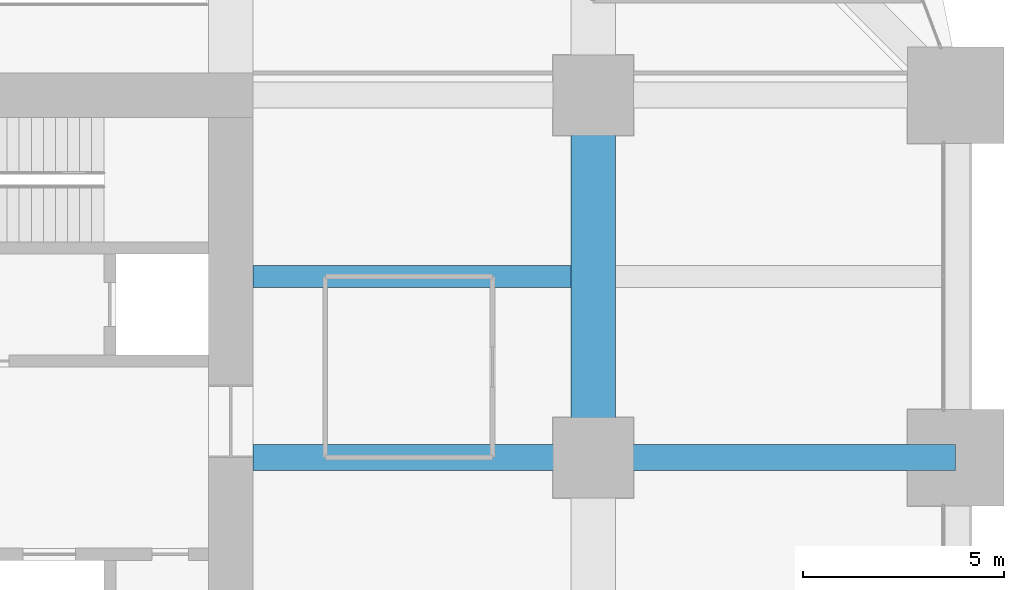
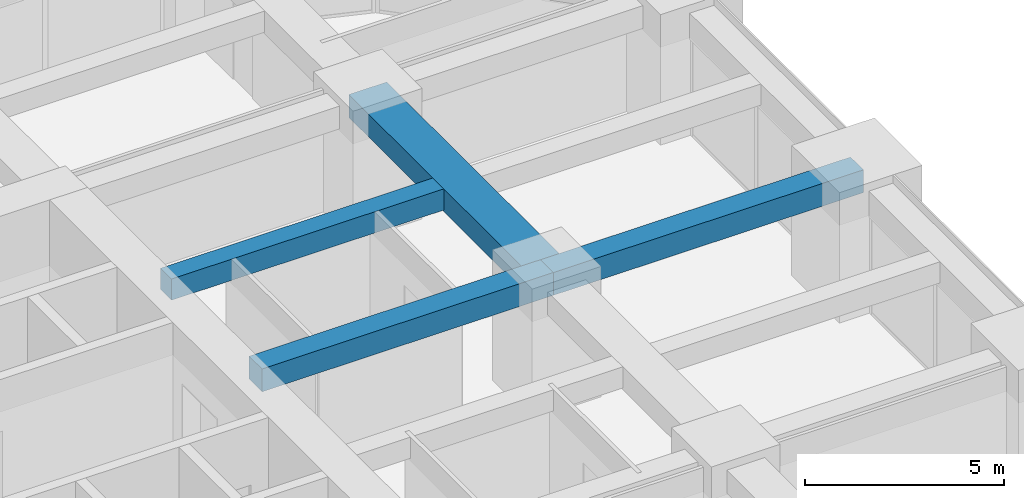
# One storey, part 22 of 41: 4 beams.
"""IFC4 building model written with IfcOpenShell, lengths in metres."""

from ifc_helpers import new_model, si_unit, direction, frame, origin, origin_2d, place, context, subcontext, project, spatial, rectangle, extrude, material, material_profile, profile_set, type_object, element, save


model = new_model("IFC4")

# Units and contexts
model_context = context("Model", 3, precision=1e-05, world=origin(), true_north=direction((0.0, 1.0)))
body_context = subcontext(model_context, "Body", "Model", "MODEL_VIEW")
ifc_project = project(units=[si_unit("LENGTHUNIT", "METRE"), si_unit("AREAUNIT", "SQUARE_METRE"), si_unit("VOLUMEUNIT", "CUBIC_METRE"), si_unit("PLANEANGLEUNIT", "RADIAN"), si_unit("MASSUNIT", "GRAM", prefix="KILO")], contexts=[model_context])

# Site, building, storey
site_placement = place(None, origin())
site = spatial("IfcSite", under=ifc_project, at=site_placement, CompositionType="ELEMENT")
building_placement = place(site_placement, origin())
building = spatial("IfcBuilding", under=site, at=building_placement, Name="Zorevar Civic Tower", CompositionType="ELEMENT")
storey_placement = place(building_placement, frame((0.0, 0.0, 101.0)))
storey = spatial("IfcBuildingStorey", under=building, at=storey_placement, Name="L24", CompositionType="ELEMENT", Elevation=101.0)

# Beams
ifc_material_1 = material(Name="Concrete C50/60", Category="concrete")
ifc_material_profile_1 = material_profile(ifc_material_1, rectangle(XDim=1.10009765625, YDim=0.699951171875, at=origin_2d()), Name="RC 1100x700")
ifc_profile_set_1 = profile_set([ifc_material_profile_1], Name="Concrete C50/60")
beam_type_1 = type_object("IfcBeamType", Name="Beam RC 1100x700", PredefinedType="BEAM", material=ifc_profile_set_1)
beam_1_placement = place(storey_placement, frame((54.0, 27.0, 3.39990234375), z_axis=(0.0, 1.0, 0.0), x_axis=(-1.0, 0.0, 0.0)))
element("IfcBeam", 1, at=beam_1_placement, inside=storey, type_object=beam_type_1, Name="Girder L25", PredefinedType="BEAM", context=body_context, shape_type="SweptSolid", body=[
    extrude(rectangle(XDim=1.10009765625, YDim=0.699951171875, at=origin_2d()), origin(), (0.0, 0.0, 1.0), 9.0),
])
ifc_material_2 = material(Name="Concrete C50/60", Category="concrete")
ifc_material_profile_2 = material_profile(ifc_material_2, rectangle(XDim=0.550048828125, YDim=0.64990234375, at=origin_2d()), Name="RC 550x650")
ifc_profile_set_2 = profile_set([ifc_material_profile_2], Name="Concrete C50/60")
beam_type_2 = type_object("IfcBeamType", Name="Beam RC 550x650", PredefinedType="BEAM", material=ifc_profile_set_2)
beam_2_placement = place(storey_placement, frame((45.550048828125, 31.5, 3.425048828125), z_axis=(1.0, 0.0, 0.0), x_axis=(0.0, 1.0, 0.0)))
element("IfcBeam", 2, at=beam_2_placement, inside=storey, type_object=beam_type_2, Name="Secondary beam L25", PredefinedType="BEAM", context=body_context, shape_type="SweptSolid", body=[
    extrude(rectangle(XDim=0.550048828125, YDim=0.64990234375, at=origin_2d()), origin(), (0.0, 0.0, 1.0), 7.89990234375),
])
ifc_material_3 = material(Name="Concrete C50/60", Category="concrete")
ifc_material_profile_3 = material_profile(ifc_material_3, rectangle(XDim=0.64990234375, YDim=0.699951171875, at=origin_2d()), Name="RC 650x700")
ifc_profile_set_3 = profile_set([ifc_material_profile_3], Name="Concrete C50/60")
beam_type_3 = type_object("IfcBeamType", Name="Beam RC 650x700", PredefinedType="BEAM", material=ifc_profile_set_3)
beam_3_placement = place(storey_placement, frame((45.550048828125, 27.0, 3.39990234375), z_axis=(1.0, 0.0, 0.0), x_axis=(0.0, 1.0, 0.0)))
element("IfcBeam", 3, at=beam_3_placement, inside=storey, type_object=beam_type_3, Name="Girder L25", PredefinedType="BEAM", context=body_context, shape_type="SweptSolid", body=[
    extrude(rectangle(XDim=0.64990234375, YDim=0.699951171875, at=origin_2d()), origin(), (0.0, 0.0, 1.0), 8.449951171875),
])
beam_4_placement = place(storey_placement, frame((54.0, 27.0, 3.39990234375), z_axis=(1.0, 0.0, 0.0), x_axis=(0.0, 1.0, 0.0)))
element("IfcBeam", 4, at=beam_4_placement, inside=storey, type_object=beam_type_3, Name="Girder L25", PredefinedType="BEAM", context=body_context, shape_type="SweptSolid", body=[
    extrude(rectangle(XDim=0.64990234375, YDim=0.699951171875, at=origin_2d()), origin(), (0.0, 0.0, 1.0), 9.0),
])

save(model, "model.ifc")
